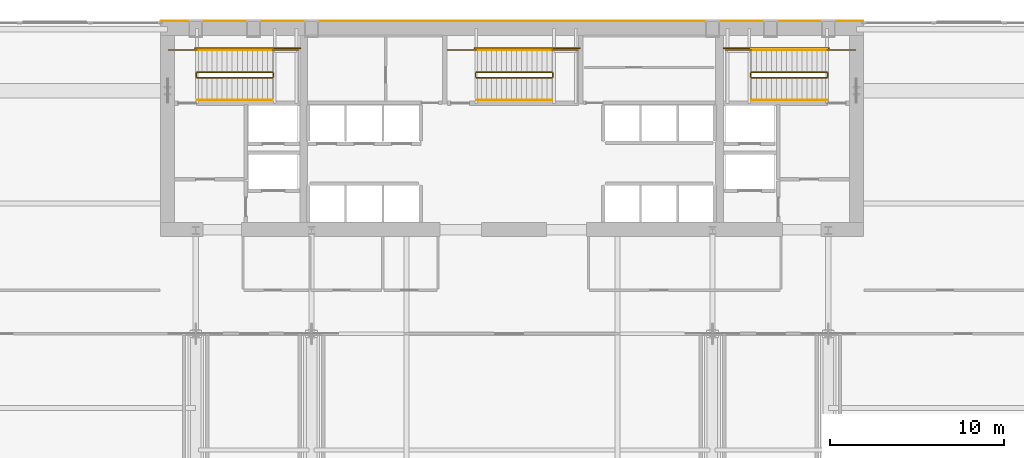
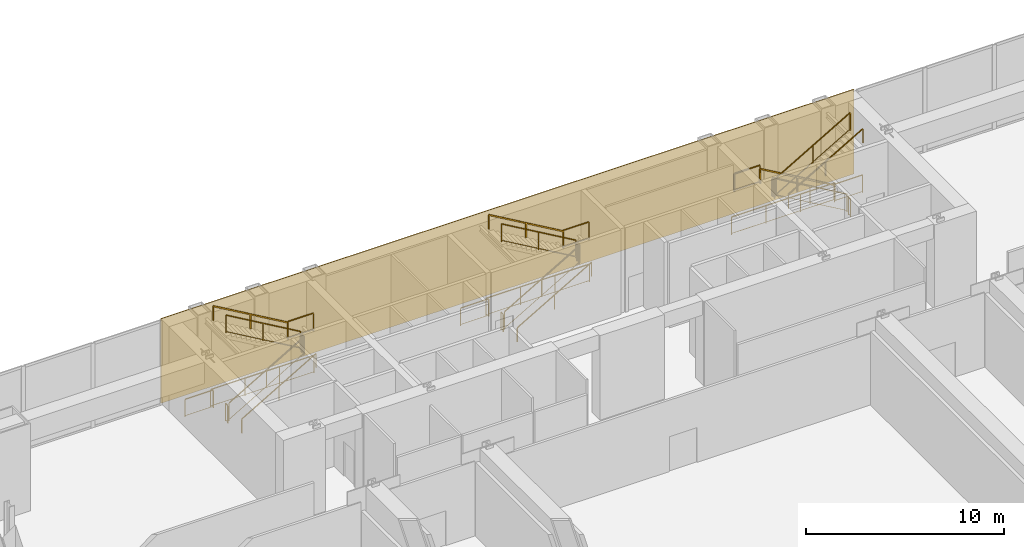
# One storey, part 25 of 26: 27 railings, 1 covering.
"""IFC4 building model written with IfcOpenShell, lengths in metres."""

from ifc_helpers import new_model, si_unit, direction, frame, origin, origin_2d, place, context, subcontext, project, spatial, polyline, rectangle, outline, extrude, material, layer, layer_set, type_object, element, save


model = new_model("IFC4")

# Units and contexts
model_context = context("Model", 3, precision=1e-05, world=origin(), true_north=direction((0.0, 1.0)))
body_context = subcontext(model_context, "Body", "Model", "MODEL_VIEW")
ifc_project = project(units=[si_unit("LENGTHUNIT", "METRE"), si_unit("AREAUNIT", "SQUARE_METRE"), si_unit("VOLUMEUNIT", "CUBIC_METRE"), si_unit("PLANEANGLEUNIT", "RADIAN"), si_unit("MASSUNIT", "GRAM", prefix="KILO")], contexts=[model_context])

# Site, building, storey
site_placement = place(None, origin())
site = spatial("IfcSite", under=ifc_project, at=site_placement, CompositionType="ELEMENT")
building_placement = place(site_placement, origin())
building = spatial("IfcBuilding", under=site, at=building_placement, Name="Khoronbel Lancet Exchange", CompositionType="ELEMENT")
storey_placement = place(building_placement, frame((0.0, 0.0, 20.39990234375)))
storey = spatial("IfcBuildingStorey", under=building, at=storey_placement, Name="L04", CompositionType="ELEMENT", Elevation=20.39990234375)

# Covering
ifc_material_1 = material(Name="Honed Egyptian Limestone & Bronze Rainscreen", Category="masonry")
ifc_layer = layer(ifc_material_1, 0.050048828125, Name="Honed Egyptian Limestone & Bronze Rainscreen")
ifc_layer_set = layer_set([ifc_layer], Name="Honed Egyptian Limestone & Bronze Rainscreen")
covering_type = type_object("IfcCoveringType", Name="COV-CLAD1", PredefinedType="CLADDING", material=ifc_layer_set)
covering_placement = place(storey_placement, origin())
element("IfcCovering", 1, at=covering_placement, inside=storey, type_object=covering_type, Name="Level L04 north rear-core stone and bronze rainscreen cladding", PredefinedType="CLADDING", context=body_context, shape_type="SweptSolid", body=[
    extrude(outline(polyline([(16.199951171875, 53.699951171875), (56.699951171875, 53.699951171875), (56.699951171875, 53.75), (16.199951171875, 53.75), (16.199951171875, 53.699951171875)])), origin(), (0.0, 0.0, 1.0), 5.22021484375),
])

# Railings
ifc_material_2 = material(Name="Painted Steel Balustrade", Category="steel")
railing_type_1 = type_object("IfcRailingType", Name="RL-STG110", PredefinedType="GUARDRAIL", material=ifc_material_2)
railing_1_placement = place(storey_placement, frame((18.300048828125, 50.449951171875, 0.1689453125)))
element("IfcRailing", 2, at=railing_1_placement, inside=storey, type_object=railing_type_1, Name="L04 ST1 stair guard 1", PredefinedType="GUARDRAIL", context=body_context, shape_type="SweptSolid", body=[
    extrude(rectangle(XDim=0.048095703125, YDim=0.048095703125, at=origin_2d()), frame((0.0, 0.0, 1.09619140625), z_axis=(0.864311530196, 0.0, 0.502956835891), x_axis=(0.0, 1.0, 0.0)), (0.0, 0.0, 1.0), 5.03271484375),
    extrude(rectangle(XDim=0.02392578125, YDim=0.02392578125, at=origin_2d()), frame((0.0, 0.0, 0.080078125), z_axis=(0.864311530196, 0.0, 0.502956835891), x_axis=(0.0, 1.0, 0.0)), (0.0, 0.0, 1.0), 5.03271484375),
    extrude(rectangle(XDim=0.0419921875, YDim=0.0419921875, at=origin_2d()), origin(), (0.0, 0.0, 1.0), 1.072021484375),
    extrude(rectangle(XDim=0.0419921875, YDim=0.0419921875, at=origin_2d()), frame((2.1748046875, 0.0, 1.265625)), (0.0, 0.0, 1.0), 1.072021484375),
    extrude(rectangle(XDim=0.0419921875, YDim=0.0419921875, at=origin_2d()), frame((4.349853515625, 0.0, 2.53125)), (0.0, 0.0, 1.0), 1.072021484375),
])
railing_2_placement = place(storey_placement, frame((22.699951171875, 50.5, 2.7001953125)))
element("IfcRailing", 3, at=railing_2_placement, inside=storey, type_object=railing_type_1, Name="L04 ST1 stair guard 2", PredefinedType="GUARDRAIL", context=body_context, shape_type="SweptSolid", body=[
    extrude(rectangle(XDim=0.048095703125, YDim=0.048095703125, at=origin_2d()), frame((0.0, 0.0, 1.09619140625), z_axis=(0.0, 1.0, 0.0), x_axis=(-1.0, 0.0, 0.0)), (0.0, 0.0, 1.0), 0.219970703125),
    extrude(rectangle(XDim=0.02392578125, YDim=0.02392578125, at=origin_2d()), frame((0.0, 0.0, 0.080078125), z_axis=(0.0, 1.0, 0.0), x_axis=(-1.0, 0.0, 0.0)), (0.0, 0.0, 1.0), 0.219970703125),
    extrude(rectangle(XDim=0.0419921875, YDim=0.0419921875, at=origin_2d()), origin(), (0.0, 0.0, 1.0), 1.072021484375),
    extrude(rectangle(XDim=0.0419921875, YDim=0.0419921875, at=origin_2d()), frame((0.0, 0.219970703125, 0.0)), (0.0, 0.0, 1.0), 1.072021484375),
])
railing_3_placement = place(storey_placement, frame((22.64990234375, 52.050048828125, 2.7001953125)))
element("IfcRailing", 4, at=railing_3_placement, inside=storey, type_object=railing_type_1, Name="L04 ST1 stair guard 3", PredefinedType="GUARDRAIL", context=body_context, shape_type="SweptSolid", body=[
    extrude(rectangle(XDim=0.048095703125, YDim=0.048095703125, at=origin_2d()), frame((0.0, 0.0, 1.09619140625), z_axis=(1.0, 0.0, 0.0), x_axis=(0.0, 1.0, 0.0)), (0.0, 0.0, 1.0), 1.5),
    extrude(rectangle(XDim=0.02392578125, YDim=0.02392578125, at=origin_2d()), frame((0.0, 0.0, 0.080078125), z_axis=(1.0, 0.0, 0.0), x_axis=(0.0, 1.0, 0.0)), (0.0, 0.0, 1.0), 1.5),
    extrude(rectangle(XDim=0.0419921875, YDim=0.0419921875, at=origin_2d()), origin(), (0.0, 0.0, 1.0), 1.072021484375),
    extrude(rectangle(XDim=0.0419921875, YDim=0.0419921875, at=origin_2d()), frame((1.5, 0.0, 0.0)), (0.0, 0.0, 1.0), 1.072021484375),
])
railing_4_placement = place(storey_placement, frame((22.64990234375, 50.77001953125, 2.868896484375)))
element("IfcRailing", 5, at=railing_4_placement, inside=storey, type_object=railing_type_1, Name="L04 ST1 stair guard 4", PredefinedType="GUARDRAIL", context=body_context, shape_type="SweptSolid", body=[
    extrude(rectangle(XDim=0.048095703125, YDim=0.048095703125, at=origin_2d()), frame((0.0, 0.0, 1.09619140625), z_axis=(-0.864311530196, 0.0, 0.502956835891), x_axis=(0.0, -1.0, 0.0)), (0.0, 0.0, 1.0), 5.03271484375),
    extrude(rectangle(XDim=0.02392578125, YDim=0.02392578125, at=origin_2d()), frame((0.0, 0.0, 0.080078125), z_axis=(-0.864311530196, 0.0, 0.502956835891), x_axis=(0.0, -1.0, 0.0)), (0.0, 0.0, 1.0), 5.03271484375),
    extrude(rectangle(XDim=0.0419921875, YDim=0.0419921875, at=origin_2d()), origin(), (0.0, 0.0, 1.0), 1.072021484375),
    extrude(rectangle(XDim=0.0419921875, YDim=0.0419921875, at=origin_2d()), frame((-2.1748046875, 0.0, 1.265625)), (0.0, 0.0, 1.0), 1.072021484375),
    extrude(rectangle(XDim=0.0419921875, YDim=0.0419921875, at=origin_2d()), frame((-4.349853515625, 0.0, 2.53125)), (0.0, 0.0, 1.0), 1.072021484375),
])
railing_5_placement = place(storey_placement, frame((18.25, 50.5, 0.0)))
element("IfcRailing", 6, at=railing_5_placement, inside=storey, type_object=railing_type_1, Name="L04 ST1 stair guard 5", PredefinedType="GUARDRAIL", context=body_context, shape_type="SweptSolid", body=[
    extrude(rectangle(XDim=0.048095703125, YDim=0.048095703125, at=origin_2d()), frame((0.0, 0.0, 1.09619140625), z_axis=(0.0, 1.0, 0.0), x_axis=(-1.0, 0.0, 0.0)), (0.0, 0.0, 1.0), 0.219970703125),
    extrude(rectangle(XDim=0.02392578125, YDim=0.02392578125, at=origin_2d()), frame((0.0, 0.0, 0.080078125), z_axis=(0.0, 1.0, 0.0), x_axis=(-1.0, 0.0, 0.0)), (0.0, 0.0, 1.0), 0.219970703125),
    extrude(rectangle(XDim=0.0419921875, YDim=0.0419921875, at=origin_2d()), origin(), (0.0, 0.0, 1.0), 1.072021484375),
    extrude(rectangle(XDim=0.0419921875, YDim=0.0419921875, at=origin_2d()), frame((0.0, 0.219970703125, 0.0)), (0.0, 0.0, 1.0), 1.072021484375),
])
railing_6_placement = place(storey_placement, frame((16.64990234375, 52.050048828125, 0.0)))
element("IfcRailing", 7, at=railing_6_placement, inside=storey, type_object=railing_type_1, Name="L04 ST1 stair guard 6", PredefinedType="GUARDRAIL", context=body_context, shape_type="SweptSolid", body=[
    extrude(rectangle(XDim=0.048095703125, YDim=0.048095703125, at=origin_2d()), frame((0.0, 0.0, 1.09619140625), z_axis=(1.0, 0.0, 0.0), x_axis=(0.0, 1.0, 0.0)), (0.0, 0.0, 1.0), 1.650146484375),
    extrude(rectangle(XDim=0.02392578125, YDim=0.02392578125, at=origin_2d()), frame((0.0, 0.0, 0.080078125), z_axis=(1.0, 0.0, 0.0), x_axis=(0.0, 1.0, 0.0)), (0.0, 0.0, 1.0), 1.650146484375),
    extrude(rectangle(XDim=0.0419921875, YDim=0.0419921875, at=origin_2d()), origin(), (0.0, 0.0, 1.0), 1.072021484375),
    extrude(rectangle(XDim=0.0419921875, YDim=0.0419921875, at=origin_2d()), frame((1.650146484375, 0.0, 0.0)), (0.0, 0.0, 1.0), 1.072021484375),
])
railing_7_placement = place(storey_placement, frame((18.199951171875, 52.14990234375, 0.0)))
element("IfcRailing", 8, at=railing_7_placement, inside=storey, type_object=railing_type_1, Name="L04 ST1 stair guard 7", PredefinedType="GUARDRAIL", context=body_context, shape_type="SweptSolid", body=[
    extrude(rectangle(XDim=0.048095703125, YDim=0.048095703125, at=origin_2d()), frame((0.0, 0.0, 1.09619140625), z_axis=(1.0, 0.0, 0.0), x_axis=(0.0, 1.0, 0.0)), (0.0, 0.0, 1.0), 6.050048828125),
    extrude(rectangle(XDim=0.02392578125, YDim=0.02392578125, at=origin_2d()), frame((0.0, 0.0, 0.080078125), z_axis=(1.0, 0.0, 0.0), x_axis=(0.0, 1.0, 0.0)), (0.0, 0.0, 1.0), 6.050048828125),
    extrude(rectangle(XDim=0.0419921875, YDim=0.0419921875, at=origin_2d()), origin(), (0.0, 0.0, 1.0), 1.072021484375),
    extrude(rectangle(XDim=0.0419921875, YDim=0.0419921875, at=origin_2d()), frame((2.0166015625, 0.0, 0.0)), (0.0, 0.0, 1.0), 1.072021484375),
    extrude(rectangle(XDim=0.0419921875, YDim=0.0419921875, at=origin_2d()), frame((4.033447265625, 0.0, 0.0)), (0.0, 0.0, 1.0), 1.072021484375),
    extrude(rectangle(XDim=0.0419921875, YDim=0.0419921875, at=origin_2d()), frame((6.050048828125, 0.0, 0.0)), (0.0, 0.0, 1.0), 1.072021484375),
])
railing_8_placement = place(storey_placement, frame((54.60009765625, 50.77001953125, 0.1689453125)))
element("IfcRailing", 9, at=railing_8_placement, inside=storey, type_object=railing_type_1, Name="L04 ST2 stair guard 1", PredefinedType="GUARDRAIL", context=body_context, shape_type="SweptSolid", body=[
    extrude(rectangle(XDim=0.048095703125, YDim=0.048095703125, at=origin_2d()), frame((0.0, 0.0, 1.09619140625), z_axis=(-0.864323800911, 0.0, 0.50293574856), x_axis=(0.0, -1.0, 0.0)), (0.0, 0.0, 1.0), 5.032958984375),
    extrude(rectangle(XDim=0.02392578125, YDim=0.02392578125, at=origin_2d()), frame((0.0, 0.0, 0.080078125), z_axis=(-0.864323800911, 0.0, 0.50293574856), x_axis=(0.0, -1.0, 0.0)), (0.0, 0.0, 1.0), 5.032958984375),
    extrude(rectangle(XDim=0.0419921875, YDim=0.0419921875, at=origin_2d()), origin(), (0.0, 0.0, 1.0), 1.072021484375),
    extrude(rectangle(XDim=0.0419921875, YDim=0.0419921875, at=origin_2d()), frame((-2.175048828125, 0.0, 1.265625)), (0.0, 0.0, 1.0), 1.072021484375),
    extrude(rectangle(XDim=0.0419921875, YDim=0.0419921875, at=origin_2d()), frame((-4.35009765625, 0.0, 2.53125)), (0.0, 0.0, 1.0), 1.072021484375),
])
railing_9_placement = place(storey_placement, frame((50.199951171875, 50.719970703125, 2.7001953125)))
element("IfcRailing", 10, at=railing_9_placement, inside=storey, type_object=railing_type_1, Name="L04 ST2 stair guard 2", PredefinedType="GUARDRAIL", context=body_context, shape_type="SweptSolid", body=[
    extrude(rectangle(XDim=0.048095703125, YDim=0.048095703125, at=origin_2d()), frame((0.0, 0.0, 1.09619140625), z_axis=(0.0, -1.0, 0.0), x_axis=(1.0, 0.0, 0.0)), (0.0, 0.0, 1.0), 0.219970703125),
    extrude(rectangle(XDim=0.02392578125, YDim=0.02392578125, at=origin_2d()), frame((0.0, 0.0, 0.080078125), z_axis=(0.0, -1.0, 0.0), x_axis=(1.0, 0.0, 0.0)), (0.0, 0.0, 1.0), 0.219970703125),
    extrude(rectangle(XDim=0.0419921875, YDim=0.0419921875, at=origin_2d()), origin(), (0.0, 0.0, 1.0), 1.072021484375),
    extrude(rectangle(XDim=0.0419921875, YDim=0.0419921875, at=origin_2d()), frame((0.0, -0.219970703125, 0.0)), (0.0, 0.0, 1.0), 1.072021484375),
])
railing_10_placement = place(storey_placement, frame((50.25, 52.050048828125, 2.7001953125)))
element("IfcRailing", 11, at=railing_10_placement, inside=storey, type_object=railing_type_1, Name="L04 ST2 stair guard 3", PredefinedType="GUARDRAIL", context=body_context, shape_type="SweptSolid", body=[
    extrude(rectangle(XDim=0.048095703125, YDim=0.048095703125, at=origin_2d()), frame((0.0, 0.0, 1.09619140625), z_axis=(-1.0, 0.0, 0.0), x_axis=(0.0, -1.0, 0.0)), (0.0, 0.0, 1.0), 1.5),
    extrude(rectangle(XDim=0.02392578125, YDim=0.02392578125, at=origin_2d()), frame((0.0, 0.0, 0.080078125), z_axis=(-1.0, 0.0, 0.0), x_axis=(0.0, -1.0, 0.0)), (0.0, 0.0, 1.0), 1.5),
    extrude(rectangle(XDim=0.0419921875, YDim=0.0419921875, at=origin_2d()), origin(), (0.0, 0.0, 1.0), 1.072021484375),
    extrude(rectangle(XDim=0.0419921875, YDim=0.0419921875, at=origin_2d()), frame((-1.5, 0.0, 0.0)), (0.0, 0.0, 1.0), 1.072021484375),
])
railing_11_placement = place(storey_placement, frame((50.25, 50.449951171875, 2.868896484375)))
element("IfcRailing", 12, at=railing_11_placement, inside=storey, type_object=railing_type_1, Name="L04 ST2 stair guard 4", PredefinedType="GUARDRAIL", context=body_context, shape_type="SweptSolid", body=[
    extrude(rectangle(XDim=0.048095703125, YDim=0.048095703125, at=origin_2d()), frame((0.0, 0.0, 1.09619140625), z_axis=(0.864323800911, 0.0, 0.50293574856), x_axis=(0.0, 1.0, 0.0)), (0.0, 0.0, 1.0), 5.032958984375),
    extrude(rectangle(XDim=0.02392578125, YDim=0.02392578125, at=origin_2d()), frame((0.0, 0.0, 0.080078125), z_axis=(0.864323800911, 0.0, 0.50293574856), x_axis=(0.0, 1.0, 0.0)), (0.0, 0.0, 1.0), 5.032958984375),
    extrude(rectangle(XDim=0.0419921875, YDim=0.0419921875, at=origin_2d()), origin(), (0.0, 0.0, 1.0), 1.072021484375),
    extrude(rectangle(XDim=0.0419921875, YDim=0.0419921875, at=origin_2d()), frame((2.175048828125, 0.0, 1.265625)), (0.0, 0.0, 1.0), 1.072021484375),
    extrude(rectangle(XDim=0.0419921875, YDim=0.0419921875, at=origin_2d()), frame((4.35009765625, 0.0, 2.53125)), (0.0, 0.0, 1.0), 1.072021484375),
])
railing_12_placement = place(storey_placement, frame((54.64990234375, 50.719970703125, 0.0)))
element("IfcRailing", 13, at=railing_12_placement, inside=storey, type_object=railing_type_1, Name="L04 ST2 stair guard 5", PredefinedType="GUARDRAIL", context=body_context, shape_type="SweptSolid", body=[
    extrude(rectangle(XDim=0.048095703125, YDim=0.048095703125, at=origin_2d()), frame((0.0, 0.0, 1.09619140625), z_axis=(0.0, -1.0, 0.0), x_axis=(1.0, 0.0, 0.0)), (0.0, 0.0, 1.0), 0.219970703125),
    extrude(rectangle(XDim=0.02392578125, YDim=0.02392578125, at=origin_2d()), frame((0.0, 0.0, 0.080078125), z_axis=(0.0, -1.0, 0.0), x_axis=(1.0, 0.0, 0.0)), (0.0, 0.0, 1.0), 0.219970703125),
    extrude(rectangle(XDim=0.0419921875, YDim=0.0419921875, at=origin_2d()), origin(), (0.0, 0.0, 1.0), 1.072021484375),
    extrude(rectangle(XDim=0.0419921875, YDim=0.0419921875, at=origin_2d()), frame((0.0, -0.219970703125, 0.0)), (0.0, 0.0, 1.0), 1.072021484375),
])
railing_13_placement = place(storey_placement, frame((56.25, 52.050048828125, 0.0)))
element("IfcRailing", 14, at=railing_13_placement, inside=storey, type_object=railing_type_1, Name="L04 ST2 stair guard 6", PredefinedType="GUARDRAIL", context=body_context, shape_type="SweptSolid", body=[
    extrude(rectangle(XDim=0.048095703125, YDim=0.048095703125, at=origin_2d()), frame((0.0, 0.0, 1.09619140625), z_axis=(-1.0, 0.0, 0.0), x_axis=(0.0, -1.0, 0.0)), (0.0, 0.0, 1.0), 1.64990234375),
    extrude(rectangle(XDim=0.02392578125, YDim=0.02392578125, at=origin_2d()), frame((0.0, 0.0, 0.080078125), z_axis=(-1.0, 0.0, 0.0), x_axis=(0.0, -1.0, 0.0)), (0.0, 0.0, 1.0), 1.64990234375),
    extrude(rectangle(XDim=0.0419921875, YDim=0.0419921875, at=origin_2d()), origin(), (0.0, 0.0, 1.0), 1.072021484375),
    extrude(rectangle(XDim=0.0419921875, YDim=0.0419921875, at=origin_2d()), frame((-1.64990234375, 0.0, 0.0)), (0.0, 0.0, 1.0), 1.072021484375),
])
railing_14_placement = place(storey_placement, frame((54.699951171875, 52.14990234375, 0.0)))
element("IfcRailing", 15, at=railing_14_placement, inside=storey, type_object=railing_type_1, Name="L04 ST2 stair guard 7", PredefinedType="GUARDRAIL", context=body_context, shape_type="SweptSolid", body=[
    extrude(rectangle(XDim=0.048095703125, YDim=0.048095703125, at=origin_2d()), frame((0.0, 0.0, 1.09619140625), z_axis=(-1.0, 0.0, 0.0), x_axis=(0.0, -1.0, 0.0)), (0.0, 0.0, 1.0), 6.050048828125),
    extrude(rectangle(XDim=0.02392578125, YDim=0.02392578125, at=origin_2d()), frame((0.0, 0.0, 0.080078125), z_axis=(-1.0, 0.0, 0.0), x_axis=(0.0, -1.0, 0.0)), (0.0, 0.0, 1.0), 6.050048828125),
    extrude(rectangle(XDim=0.0419921875, YDim=0.0419921875, at=origin_2d()), origin(), (0.0, 0.0, 1.0), 1.072021484375),
    extrude(rectangle(XDim=0.0419921875, YDim=0.0419921875, at=origin_2d()), frame((-2.0166015625, 0.0, 0.0)), (0.0, 0.0, 1.0), 1.072021484375),
    extrude(rectangle(XDim=0.0419921875, YDim=0.0419921875, at=origin_2d()), frame((-4.033447265625, 0.0, 0.0)), (0.0, 0.0, 1.0), 1.072021484375),
    extrude(rectangle(XDim=0.0419921875, YDim=0.0419921875, at=origin_2d()), frame((-6.050048828125, 0.0, 0.0)), (0.0, 0.0, 1.0), 1.072021484375),
])
railing_15_placement = place(storey_placement, frame((34.39990234375, 50.449951171875, 0.1689453125)))
element("IfcRailing", 16, at=railing_15_placement, inside=storey, type_object=railing_type_1, Name="L04 ST3 stair guard 1", PredefinedType="GUARDRAIL", context=body_context, shape_type="SweptSolid", body=[
    extrude(rectangle(XDim=0.048095703125, YDim=0.048095703125, at=origin_2d()), frame((0.0, 0.0, 1.09619140625), z_axis=(0.864323800911, 0.0, 0.50293574856), x_axis=(0.0, 1.0, 0.0)), (0.0, 0.0, 1.0), 5.032958984375),
    extrude(rectangle(XDim=0.02392578125, YDim=0.02392578125, at=origin_2d()), frame((0.0, 0.0, 0.080078125), z_axis=(0.864323800911, 0.0, 0.50293574856), x_axis=(0.0, 1.0, 0.0)), (0.0, 0.0, 1.0), 5.032958984375),
    extrude(rectangle(XDim=0.0419921875, YDim=0.0419921875, at=origin_2d()), origin(), (0.0, 0.0, 1.0), 1.072021484375),
    extrude(rectangle(XDim=0.0419921875, YDim=0.0419921875, at=origin_2d()), frame((2.175048828125, 0.0, 1.265625)), (0.0, 0.0, 1.0), 1.072021484375),
    extrude(rectangle(XDim=0.0419921875, YDim=0.0419921875, at=origin_2d()), frame((4.35009765625, 0.0, 2.53125)), (0.0, 0.0, 1.0), 1.072021484375),
])
railing_16_placement = place(storey_placement, frame((38.800048828125, 50.5, 2.7001953125)))
element("IfcRailing", 17, at=railing_16_placement, inside=storey, type_object=railing_type_1, Name="L04 ST3 stair guard 2", PredefinedType="GUARDRAIL", context=body_context, shape_type="SweptSolid", body=[
    extrude(rectangle(XDim=0.048095703125, YDim=0.048095703125, at=origin_2d()), frame((0.0, 0.0, 1.09619140625), z_axis=(0.0, 1.0, 0.0), x_axis=(-1.0, 0.0, 0.0)), (0.0, 0.0, 1.0), 0.219970703125),
    extrude(rectangle(XDim=0.02392578125, YDim=0.02392578125, at=origin_2d()), frame((0.0, 0.0, 0.080078125), z_axis=(0.0, 1.0, 0.0), x_axis=(-1.0, 0.0, 0.0)), (0.0, 0.0, 1.0), 0.219970703125),
    extrude(rectangle(XDim=0.0419921875, YDim=0.0419921875, at=origin_2d()), origin(), (0.0, 0.0, 1.0), 1.072021484375),
    extrude(rectangle(XDim=0.0419921875, YDim=0.0419921875, at=origin_2d()), frame((0.0, 0.219970703125, 0.0)), (0.0, 0.0, 1.0), 1.072021484375),
])
railing_17_placement = place(storey_placement, frame((38.75, 52.050048828125, 2.7001953125)))
element("IfcRailing", 18, at=railing_17_placement, inside=storey, type_object=railing_type_1, Name="L04 ST3 stair guard 3", PredefinedType="GUARDRAIL", context=body_context, shape_type="SweptSolid", body=[
    extrude(rectangle(XDim=0.048095703125, YDim=0.048095703125, at=origin_2d()), frame((0.0, 0.0, 1.09619140625), z_axis=(1.0, 0.0, 0.0), x_axis=(0.0, 1.0, 0.0)), (0.0, 0.0, 1.0), 1.5),
    extrude(rectangle(XDim=0.02392578125, YDim=0.02392578125, at=origin_2d()), frame((0.0, 0.0, 0.080078125), z_axis=(1.0, 0.0, 0.0), x_axis=(0.0, 1.0, 0.0)), (0.0, 0.0, 1.0), 1.5),
    extrude(rectangle(XDim=0.0419921875, YDim=0.0419921875, at=origin_2d()), origin(), (0.0, 0.0, 1.0), 1.072021484375),
    extrude(rectangle(XDim=0.0419921875, YDim=0.0419921875, at=origin_2d()), frame((1.5, 0.0, 0.0)), (0.0, 0.0, 1.0), 1.072021484375),
])
railing_18_placement = place(storey_placement, frame((38.75, 50.77001953125, 2.868896484375)))
element("IfcRailing", 19, at=railing_18_placement, inside=storey, type_object=railing_type_1, Name="L04 ST3 stair guard 4", PredefinedType="GUARDRAIL", context=body_context, shape_type="SweptSolid", body=[
    extrude(rectangle(XDim=0.048095703125, YDim=0.048095703125, at=origin_2d()), frame((0.0, 0.0, 1.09619140625), z_axis=(-0.864323800911, 0.0, 0.50293574856), x_axis=(0.0, -1.0, 0.0)), (0.0, 0.0, 1.0), 5.032958984375),
    extrude(rectangle(XDim=0.02392578125, YDim=0.02392578125, at=origin_2d()), frame((0.0, 0.0, 0.080078125), z_axis=(-0.864323800911, 0.0, 0.50293574856), x_axis=(0.0, -1.0, 0.0)), (0.0, 0.0, 1.0), 5.032958984375),
    extrude(rectangle(XDim=0.0419921875, YDim=0.0419921875, at=origin_2d()), origin(), (0.0, 0.0, 1.0), 1.072021484375),
    extrude(rectangle(XDim=0.0419921875, YDim=0.0419921875, at=origin_2d()), frame((-2.175048828125, 0.0, 1.265625)), (0.0, 0.0, 1.0), 1.072021484375),
    extrude(rectangle(XDim=0.0419921875, YDim=0.0419921875, at=origin_2d()), frame((-4.35009765625, 0.0, 2.53125)), (0.0, 0.0, 1.0), 1.072021484375),
])
railing_19_placement = place(storey_placement, frame((34.35009765625, 50.5, 0.0)))
element("IfcRailing", 20, at=railing_19_placement, inside=storey, type_object=railing_type_1, Name="L04 ST3 stair guard 5", PredefinedType="GUARDRAIL", context=body_context, shape_type="SweptSolid", body=[
    extrude(rectangle(XDim=0.048095703125, YDim=0.048095703125, at=origin_2d()), frame((0.0, 0.0, 1.09619140625), z_axis=(0.0, 1.0, 0.0), x_axis=(-1.0, 0.0, 0.0)), (0.0, 0.0, 1.0), 0.219970703125),
    extrude(rectangle(XDim=0.02392578125, YDim=0.02392578125, at=origin_2d()), frame((0.0, 0.0, 0.080078125), z_axis=(0.0, 1.0, 0.0), x_axis=(-1.0, 0.0, 0.0)), (0.0, 0.0, 1.0), 0.219970703125),
    extrude(rectangle(XDim=0.0419921875, YDim=0.0419921875, at=origin_2d()), origin(), (0.0, 0.0, 1.0), 1.072021484375),
    extrude(rectangle(XDim=0.0419921875, YDim=0.0419921875, at=origin_2d()), frame((0.0, 0.219970703125, 0.0)), (0.0, 0.0, 1.0), 1.072021484375),
])
railing_20_placement = place(storey_placement, frame((32.75, 52.050048828125, 0.0)))
element("IfcRailing", 21, at=railing_20_placement, inside=storey, type_object=railing_type_1, Name="L04 ST3 stair guard 6", PredefinedType="GUARDRAIL", context=body_context, shape_type="SweptSolid", body=[
    extrude(rectangle(XDim=0.048095703125, YDim=0.048095703125, at=origin_2d()), frame((0.0, 0.0, 1.09619140625), z_axis=(1.0, 0.0, 0.0), x_axis=(0.0, 1.0, 0.0)), (0.0, 0.0, 1.0), 1.64990234375),
    extrude(rectangle(XDim=0.02392578125, YDim=0.02392578125, at=origin_2d()), frame((0.0, 0.0, 0.080078125), z_axis=(1.0, 0.0, 0.0), x_axis=(0.0, 1.0, 0.0)), (0.0, 0.0, 1.0), 1.64990234375),
    extrude(rectangle(XDim=0.0419921875, YDim=0.0419921875, at=origin_2d()), origin(), (0.0, 0.0, 1.0), 1.072021484375),
    extrude(rectangle(XDim=0.0419921875, YDim=0.0419921875, at=origin_2d()), frame((1.64990234375, 0.0, 0.0)), (0.0, 0.0, 1.0), 1.072021484375),
])
railing_21_placement = place(storey_placement, frame((34.300048828125, 52.14990234375, 0.0)))
element("IfcRailing", 22, at=railing_21_placement, inside=storey, type_object=railing_type_1, Name="L04 ST3 stair guard 7", PredefinedType="GUARDRAIL", context=body_context, shape_type="SweptSolid", body=[
    extrude(rectangle(XDim=0.048095703125, YDim=0.048095703125, at=origin_2d()), frame((0.0, 0.0, 1.09619140625), z_axis=(1.0, 0.0, 0.0), x_axis=(0.0, 1.0, 0.0)), (0.0, 0.0, 1.0), 6.050048828125),
    extrude(rectangle(XDim=0.02392578125, YDim=0.02392578125, at=origin_2d()), frame((0.0, 0.0, 0.080078125), z_axis=(1.0, 0.0, 0.0), x_axis=(0.0, 1.0, 0.0)), (0.0, 0.0, 1.0), 6.050048828125),
    extrude(rectangle(XDim=0.0419921875, YDim=0.0419921875, at=origin_2d()), origin(), (0.0, 0.0, 1.0), 1.072021484375),
    extrude(rectangle(XDim=0.0419921875, YDim=0.0419921875, at=origin_2d()), frame((2.0166015625, 0.0, 0.0)), (0.0, 0.0, 1.0), 1.072021484375),
    extrude(rectangle(XDim=0.0419921875, YDim=0.0419921875, at=origin_2d()), frame((4.033447265625, 0.0, 0.0)), (0.0, 0.0, 1.0), 1.072021484375),
    extrude(rectangle(XDim=0.0419921875, YDim=0.0419921875, at=origin_2d()), frame((6.050048828125, 0.0, 0.0)), (0.0, 0.0, 1.0), 1.072021484375),
])
ifc_material_3 = material(Name="Brushed Stainless Steel 316", Category="steel")
railing_type_2 = type_object("IfcRailingType", Name="RL-STH92", PredefinedType="HANDRAIL", material=ifc_material_3)
railing_22_placement = place(storey_placement, frame((18.300048828125, 49.169921875, 0.1689453125)))
element("IfcRailing", 23, at=railing_22_placement, inside=storey, type_object=railing_type_2, Name="L04 ST1 stair handrail 1", PredefinedType="HANDRAIL", context=body_context, shape_type="SweptSolid", body=[
    extrude(rectangle(XDim=0.048095703125, YDim=0.048095703125, at=origin_2d()), frame((0.0, 0.0, 0.8759765625), z_axis=(0.864311530196, 0.0, 0.502956835891), x_axis=(0.0, 1.0, 0.0)), (0.0, 0.0, 1.0), 5.03271484375),
    extrude(rectangle(XDim=0.0419921875, YDim=0.0419921875, at=origin_2d()), origin(), (0.0, 0.0, 1.0), 0.851806640625),
    extrude(rectangle(XDim=0.0419921875, YDim=0.0419921875, at=origin_2d()), frame((2.1748046875, 0.0, 1.265625)), (0.0, 0.0, 1.0), 0.851806640625),
    extrude(rectangle(XDim=0.0419921875, YDim=0.0419921875, at=origin_2d()), frame((4.349853515625, 0.0, 2.53125)), (0.0, 0.0, 1.0), 0.851806640625),
])
railing_23_placement = place(storey_placement, frame((22.64990234375, 52.050048828125, 2.868896484375)))
element("IfcRailing", 24, at=railing_23_placement, inside=storey, type_object=railing_type_2, Name="L04 ST1 stair handrail 2", PredefinedType="HANDRAIL", context=body_context, shape_type="SweptSolid", body=[
    extrude(rectangle(XDim=0.048095703125, YDim=0.048095703125, at=origin_2d()), frame((0.0, 0.0, 0.8759765625), z_axis=(-0.864311530196, 0.0, 0.502956835891), x_axis=(0.0, -1.0, 0.0)), (0.0, 0.0, 1.0), 5.03271484375),
    extrude(rectangle(XDim=0.0419921875, YDim=0.0419921875, at=origin_2d()), origin(), (0.0, 0.0, 1.0), 0.851806640625),
    extrude(rectangle(XDim=0.0419921875, YDim=0.0419921875, at=origin_2d()), frame((-2.1748046875, 0.0, 1.265625)), (0.0, 0.0, 1.0), 0.851806640625),
    extrude(rectangle(XDim=0.0419921875, YDim=0.0419921875, at=origin_2d()), frame((-4.349853515625, 0.0, 2.53125)), (0.0, 0.0, 1.0), 0.851806640625),
])
railing_24_placement = place(storey_placement, frame((54.60009765625, 52.050048828125, 0.1689453125)))
element("IfcRailing", 25, at=railing_24_placement, inside=storey, type_object=railing_type_2, Name="L04 ST2 stair handrail 1", PredefinedType="HANDRAIL", context=body_context, shape_type="SweptSolid", body=[
    extrude(rectangle(XDim=0.048095703125, YDim=0.048095703125, at=origin_2d()), frame((0.0, 0.0, 0.8759765625), z_axis=(-0.864323800911, 0.0, 0.50293574856), x_axis=(0.0, -1.0, 0.0)), (0.0, 0.0, 1.0), 5.032958984375),
    extrude(rectangle(XDim=0.0419921875, YDim=0.0419921875, at=origin_2d()), origin(), (0.0, 0.0, 1.0), 0.851806640625),
    extrude(rectangle(XDim=0.0419921875, YDim=0.0419921875, at=origin_2d()), frame((-2.175048828125, 0.0, 1.265625)), (0.0, 0.0, 1.0), 0.851806640625),
    extrude(rectangle(XDim=0.0419921875, YDim=0.0419921875, at=origin_2d()), frame((-4.35009765625, 0.0, 2.53125)), (0.0, 0.0, 1.0), 0.851806640625),
])
for number, where, name in (
    (26, (50.25, 49.169921875, 2.868896484375), "L04 ST2 stair handrail 2"),
    (27, (34.39990234375, 49.169921875, 0.1689453125), "L04 ST3 stair handrail 1"),
):
    element("IfcRailing", number, at=place(storey_placement, frame(where)), inside=storey, type_object=railing_type_2, Name=name, PredefinedType="HANDRAIL", context=body_context, shape_type="SweptSolid", body=[
        extrude(rectangle(XDim=0.048095703125, YDim=0.048095703125, at=origin_2d()), frame((0.0, 0.0, 0.8759765625), z_axis=(0.864323800911, 0.0, 0.50293574856), x_axis=(0.0, 1.0, 0.0)), (0.0, 0.0, 1.0), 5.032958984375),
        extrude(rectangle(XDim=0.0419921875, YDim=0.0419921875, at=origin_2d()), origin(), (0.0, 0.0, 1.0), 0.851806640625),
        extrude(rectangle(XDim=0.0419921875, YDim=0.0419921875, at=origin_2d()), frame((2.175048828125, 0.0, 1.265625)), (0.0, 0.0, 1.0), 0.851806640625),
        extrude(rectangle(XDim=0.0419921875, YDim=0.0419921875, at=origin_2d()), frame((4.35009765625, 0.0, 2.53125)), (0.0, 0.0, 1.0), 0.851806640625),
    ])
railing_25_placement = place(storey_placement, frame((38.75, 52.050048828125, 2.868896484375)))
element("IfcRailing", 28, at=railing_25_placement, inside=storey, type_object=railing_type_2, Name="L04 ST3 stair handrail 2", PredefinedType="HANDRAIL", context=body_context, shape_type="SweptSolid", body=[
    extrude(rectangle(XDim=0.048095703125, YDim=0.048095703125, at=origin_2d()), frame((0.0, 0.0, 0.8759765625), z_axis=(-0.864323800911, 0.0, 0.50293574856), x_axis=(0.0, -1.0, 0.0)), (0.0, 0.0, 1.0), 5.032958984375),
    extrude(rectangle(XDim=0.0419921875, YDim=0.0419921875, at=origin_2d()), origin(), (0.0, 0.0, 1.0), 0.851806640625),
    extrude(rectangle(XDim=0.0419921875, YDim=0.0419921875, at=origin_2d()), frame((-2.175048828125, 0.0, 1.265625)), (0.0, 0.0, 1.0), 0.851806640625),
    extrude(rectangle(XDim=0.0419921875, YDim=0.0419921875, at=origin_2d()), frame((-4.35009765625, 0.0, 2.53125)), (0.0, 0.0, 1.0), 0.851806640625),
])

save(model, "model.ifc")
